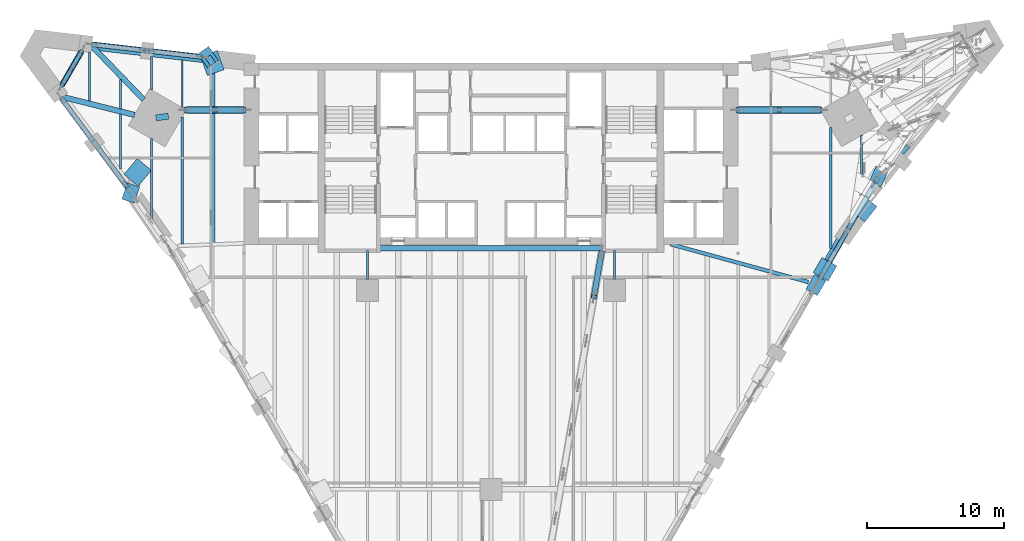
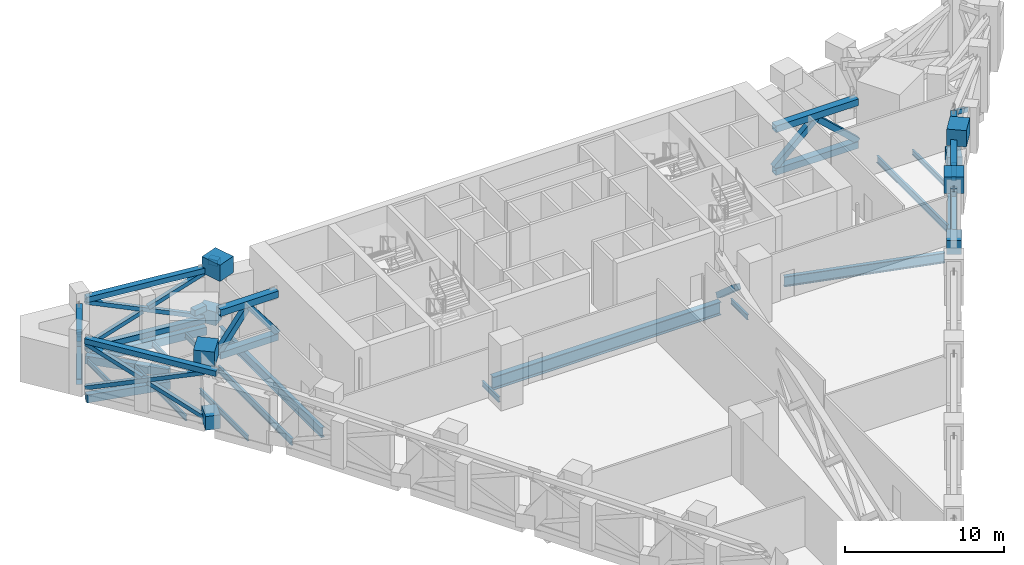
# One storey, part 4 of 22: 29 members, 28 beams.
"""IFC4 building model written with IfcOpenShell, lengths in metres."""

from ifc_helpers import new_model, si_unit, direction, frame, origin, origin_2d, place, context, subcontext, project, spatial, rectangle, hollow_rectangle, i_section, extrude, material, material_profile, profile_set, type_object, element, save


model = new_model("IFC4")

# Units and contexts
model_context = context("Model", 3, precision=1e-05, world=origin(), true_north=direction((0.0, 1.0)))
body_context = subcontext(model_context, "Body", "Model", "MODEL_VIEW")
ifc_project = project(units=[si_unit("LENGTHUNIT", "METRE"), si_unit("AREAUNIT", "SQUARE_METRE"), si_unit("VOLUMEUNIT", "CUBIC_METRE"), si_unit("PLANEANGLEUNIT", "RADIAN"), si_unit("MASSUNIT", "GRAM", prefix="KILO")], contexts=[model_context])

# Site, building, storey
site_placement = place(None, origin())
site = spatial("IfcSite", under=ifc_project, at=site_placement, CompositionType="ELEMENT")
building_placement = place(site_placement, origin())
building = spatial("IfcBuilding", under=site, at=building_placement, Name="Calabash Gate Tower", CompositionType="ELEMENT")
storey_placement = place(building_placement, frame((0.0, 0.0, 86.800048828125)))
storey = spatial("IfcBuildingStorey", under=building, at=storey_placement, Name="L18", CompositionType="ELEMENT", Elevation=86.800048828125)

# Members
ifc_material_1 = material(Name="Steel ASTM A500 Gr C", Category="steel")
ifc_material_profile_1 = material_profile(ifc_material_1, hollow_rectangle(XDim=0.406494140625, YDim=0.406494140625, WallThickness=0.015869140625, at=origin_2d()))
ifc_profile_set_1 = profile_set([ifc_material_profile_1], Name="Steel ASTM A500 Gr C")
member_type_1 = type_object("IfcMemberType", Name="Belt truss chord HSS16X16X.625 ASTM A500 Gr C", PredefinedType="CHORD", material=ifc_profile_set_1)
member_1_placement = place(storey_placement, frame((23.92236328125, 3.329833984375, 0.203125), z_axis=(0.49999569496, 0.866027889286, 0.0), x_axis=(-0.866027889286, 0.49999569496, 0.0)))
element("IfcMember", 1, at=member_1_placement, inside=storey, type_object=member_type_1, Name="Belt chord L18 56", PredefinedType="CHORD", context=body_context, shape_type="SweptSolid", body=[
    extrude(hollow_rectangle(XDim=0.406494140625, YDim=0.406494140625, WallThickness=0.015869140625, at=origin_2d()), origin(), (0.0, 0.0, 1.0), 8.09521484375),
])
member_2_placement = place(storey_placement, frame((23.92236328125, 3.329833984375, 4.02685546875), z_axis=(0.499990883164, 0.866030667328, 0.0), x_axis=(-0.866030667328, 0.499990883164, 0.0)))
element("IfcMember", 2, at=member_2_placement, inside=storey, type_object=member_type_1, Name="Belt chord L18 57", PredefinedType="CHORD", context=body_context, shape_type="SweptSolid", body=[
    extrude(hollow_rectangle(XDim=0.406494140625, YDim=0.406494140625, WallThickness=0.015869140625, at=origin_2d()), origin(), (0.0, 0.0, 1.0), 8.555419921875),
])
for number, where, z_axis, x_axis, name in (
    (3, (-21.024169921875, 19.4892578125, 0.203125), (-0.993506124263, 0.113778649367, 0.0), (-0.113778649367, -0.993506124263, 0.0), "Belt chord L18 91"),
    (4, (-21.024169921875, 19.4892578125, 4.02685546875), (-0.993506124263, 0.113778649367, 0.0), (-0.113778649367, -0.993506124263, 0.0), "Belt chord L18 92"),
):
    element("IfcMember", number, at=place(storey_placement, frame(where, z_axis=z_axis, x_axis=x_axis)), inside=storey, type_object=member_type_1, Name=name, PredefinedType="CHORD", context=body_context, shape_type="SweptSolid", body=[
        extrude(hollow_rectangle(XDim=0.406494140625, YDim=0.406494140625, WallThickness=0.015869140625, at=origin_2d()), origin(), (0.0, 0.0, 1.0), 8.10009765625),
    ])
for number, where, z_axis, x_axis, name in (
    (5, (-29.845703125, 19.895751953125, 0.203125), (-0.4999967785, -0.866027263711, 0.0), (0.866027263711, -0.4999967785, 0.0), "Belt chord L18 96"),
    (6, (-29.845703125, 19.895751953125, 4.02685546875), (-0.4999967785, -0.866027263711, 0.0), (0.866027263711, -0.4999967785, 0.0), "Belt chord L18 97"),
):
    element("IfcMember", number, at=place(storey_placement, frame(where, z_axis=z_axis, x_axis=x_axis)), inside=storey, type_object=member_type_1, Name=name, PredefinedType="CHORD", context=body_context, shape_type="SweptSolid", body=[
        extrude(hollow_rectangle(XDim=0.406494140625, YDim=0.406494140625, WallThickness=0.015869140625, at=origin_2d()), origin(), (0.0, 0.0, 1.0), 2.82470703125),
    ])
member_3_placement = place(storey_placement, frame((-31.3173828125, 16.521484375, 4.02685546875), z_axis=(0.595274233419, -0.803522611398, 0.0), x_axis=(0.803522611398, 0.595274233419, 0.0)))
element("IfcMember", 7, at=member_3_placement, inside=storey, type_object=member_type_1, Name="Belt chord L18 102", PredefinedType="CHORD", context=body_context, shape_type="SweptSolid", body=[
    extrude(hollow_rectangle(XDim=0.406494140625, YDim=0.406494140625, WallThickness=0.015869140625, at=origin_2d()), origin(), (0.0, 0.0, 1.0), 9.0048828125),
])
ifc_material_2 = material(Name="Steel ASTM A500 Gr C", Category="steel")
ifc_material_profile_2 = material_profile(ifc_material_2, hollow_rectangle(XDim=0.3046875, YDim=0.3046875, WallThickness=0.0126953125, at=origin_2d()))
ifc_profile_set_2 = profile_set([ifc_material_profile_2], Name="Steel ASTM A500 Gr C")
member_type_2 = type_object("IfcMemberType", Name="Belt truss diagonal HSS12X12X.500 ASTM A500 Gr C", PredefinedType="BRACE", material=ifc_profile_set_2)
member_4_placement = place(storey_placement, frame((23.92236328125, 3.329833984375, 0.40625), z_axis=(0.460636568742, 0.797855100307, 0.388897403503), x_axis=(-0.866027889286, 0.49999569496, 0.0)))
element("IfcMember", 8, at=member_4_placement, inside=storey, type_object=member_type_2, Name="Belt diagonal L18 58", PredefinedType="BRACE", context=body_context, shape_type="SweptSolid", body=[
    extrude(hollow_rectangle(XDim=0.3046875, YDim=0.3046875, WallThickness=0.0126953125, at=origin_2d()), origin(), (0.0, 0.0, 1.0), 8.786865234375),
])
for number, where, z_axis, x_axis, name in (
    (9, (23.92236328125, 3.329833984375, 3.823486328125), (0.460678958357, 0.797852276339, -0.388852983103), (-0.866007199171, 0.50003152999, 0.0), "Belt diagonal (split) L18 59 half 1 of 2"),
    (10, (26.044189453125, 7.0048828125, 2.0322265625), (0.460622493671, 0.797855620059, -0.388913008094), (-0.866034645701, 0.49998399219, 0.0), "Belt diagonal (split) L18 60 half 2 of 2"),
):
    element("IfcMember", number, at=place(storey_placement, frame(where, z_axis=z_axis, x_axis=x_axis)), inside=storey, type_object=member_type_2, Name=name, PredefinedType="BRACE", context=body_context, shape_type="SweptSolid", body=[
        extrude(hollow_rectangle(XDim=0.3046875, YDim=0.3046875, WallThickness=0.0126953125, at=origin_2d()), origin(), (0.0, 0.0, 1.0), 4.180908203125),
    ])
member_5_placement = place(storey_placement, frame((28.51123046875, 11.059814453125, 3.823486328125), z_axis=(0.592742104516, 0.614858176687, -0.520198250761), x_axis=(-0.719936057016, 0.694040397822, 0.0)))
element("IfcMember", 11, at=member_5_placement, inside=storey, type_object=member_type_2, Name="Belt diagonal (split) L18 64 half 1 of 2", PredefinedType="BRACE", context=body_context, shape_type="SweptSolid", body=[
    extrude(hollow_rectangle(XDim=0.3046875, YDim=0.3046875, WallThickness=0.0126953125, at=origin_2d()), origin(), (0.0, 0.0, 1.0), 3.113037109375),
])
member_6_placement = place(storey_placement, frame((-21.024169921875, 19.4892578125, 0.40625), z_axis=(-0.91538253186, 0.104831752503, 0.388696699282), x_axis=(-0.113778649367, -0.993506124263, 0.0)))
element("IfcMember", 12, at=member_6_placement, inside=storey, type_object=member_type_2, Name="Belt diagonal L18 93", PredefinedType="BRACE", context=body_context, shape_type="SweptSolid", body=[
    extrude(hollow_rectangle(XDim=0.3046875, YDim=0.3046875, WallThickness=0.0126953125, at=origin_2d()), origin(), (0.0, 0.0, 1.0), 8.79150390625),
])
member_7_placement = place(storey_placement, frame((-21.024169921875, 19.4892578125, 3.823486328125), z_axis=(-0.915401322774, 0.104824073942, -0.388654514687), x_axis=(-0.113768118156, -0.993507330265, 0.0)))
element("IfcMember", 13, at=member_7_placement, inside=storey, type_object=member_type_2, Name="Belt diagonal (split) L18 94 half 1 of 2", PredefinedType="BRACE", context=body_context, shape_type="SweptSolid", body=[
    extrude(hollow_rectangle(XDim=0.3046875, YDim=0.3046875, WallThickness=0.0126953125, at=origin_2d()), origin(), (0.0, 0.0, 1.0), 4.182861328125),
])
member_8_placement = place(storey_placement, frame((-25.24267578125, 19.972412109375, 2.0322265625), z_axis=(-0.915380557016, 0.104821696021, -0.388704062084), x_axis=(-0.113768118156, -0.993507330265, 0.0)))
element("IfcMember", 14, at=member_8_placement, inside=storey, type_object=member_type_2, Name="Belt diagonal (split) L18 95 half 2 of 2", PredefinedType="BRACE", context=body_context, shape_type="SweptSolid", body=[
    extrude(hollow_rectangle(XDim=0.3046875, YDim=0.3046875, WallThickness=0.0126953125, at=origin_2d()), origin(), (0.0, 0.0, 1.0), 4.18310546875),
])
member_9_placement = place(storey_placement, frame((-29.845703125, 19.895751953125, 0.40625), z_axis=(-0.31855870124, -0.551764595752, 0.770763377918), x_axis=(0.866027263711, -0.4999967785, 0.0)))
element("IfcMember", 15, at=member_9_placement, inside=storey, type_object=member_type_2, Name="Belt diagonal L18 98", PredefinedType="BRACE", context=body_context, shape_type="SweptSolid", body=[
    extrude(hollow_rectangle(XDim=0.3046875, YDim=0.3046875, WallThickness=0.0126953125, at=origin_2d()), origin(), (0.0, 0.0, 1.0), 4.43359375),
])
for number, where, z_axis, x_axis, name in (
    (16, (-29.845703125, 19.895751953125, 3.823486328125), (-0.318579878466, -0.551770875009, -0.770750129762), (0.866015334839, -0.500017439519, 0.0), "Belt diagonal (split) L18 99 half 1 of 2"),
    (17, (-30.601318359375, 18.5869140625, 1.995361328125), (-0.318550799972, -0.551720511922, -0.770798199635), (0.866015334839, -0.500017439519, 0.0), "Belt diagonal (split) L18 100 half 2 of 2"),
):
    element("IfcMember", number, at=place(storey_placement, frame(where, z_axis=z_axis, x_axis=x_axis)), inside=storey, type_object=member_type_2, Name=name, PredefinedType="BRACE", context=body_context, shape_type="SweptSolid", body=[
        extrude(hollow_rectangle(XDim=0.3046875, YDim=0.3046875, WallThickness=0.0126953125, at=origin_2d()), origin(), (0.0, 0.0, 1.0), 2.0615234375),
    ])
member_10_placement = place(storey_placement, frame((-31.3173828125, 16.521484375, 0.40625), z_axis=(0.548486491124, -0.740322078218, 0.388697555378), x_axis=(0.803505399489, 0.595297465971, 0.0)))
element("IfcMember", 18, at=member_10_placement, inside=storey, type_object=member_type_2, Name="Belt diagonal L18 103", PredefinedType="BRACE", context=body_context, shape_type="SweptSolid", body=[
    extrude(hollow_rectangle(XDim=0.3046875, YDim=0.3046875, WallThickness=0.0126953125, at=origin_2d()), origin(), (0.0, 0.0, 1.0), 8.79150390625),
])
for number, where, z_axis, x_axis, name in (
    (19, (-31.3173828125, 16.521484375, 3.823486328125), (0.548523802013, -0.74031452487, -0.388659288955), (0.803483124258, 0.595327530887, 0.0), "Belt diagonal (split) L18 104 half 1 of 2"),
    (20, (-28.78955078125, 13.109619140625, 2.0322265625), (0.548470551743, -0.740321430064, -0.388721280686), (0.803513425101, 0.595286633213, 0.0), "Belt diagonal (split) L18 105 half 2 of 2"),
):
    element("IfcMember", number, at=place(storey_placement, frame(where, z_axis=z_axis, x_axis=x_axis)), inside=storey, type_object=member_type_2, Name=name, PredefinedType="BRACE", context=body_context, shape_type="SweptSolid", body=[
        extrude(hollow_rectangle(XDim=0.3046875, YDim=0.3046875, WallThickness=0.0126953125, at=origin_2d()), origin(), (0.0, 0.0, 1.0), 4.182861328125),
    ])

# Beams
ifc_material_3 = material(Name="Concrete C80/95", Category="concrete")
ifc_material_profile_3 = material_profile(ifc_material_3, rectangle(XDim=0.449951171875, YDim=0.449951171875, at=origin_2d()))
ifc_profile_set_3 = profile_set([ifc_material_profile_3], Name="Concrete C80/95")
beam_type_1 = type_object("IfcBeamType", Name="Column offset link RC 450x450 Concrete C80/95", PredefinedType="BEAM", material=ifc_profile_set_3)
beam_1_placement = place(storey_placement, frame((-24.416015625, 15.05908203125, 4.60400390625), z_axis=(0.989816267315, 0.142350823526, 0.0), x_axis=(-0.142350823526, 0.989816267315, 0.0)))
element("IfcBeam", 21, at=beam_1_placement, inside=storey, type_object=beam_type_1, Name="Column offset link L18 NW", PredefinedType="BEAM", context=body_context, shape_type="SweptSolid", body=[
    extrude(rectangle(XDim=0.449951171875, YDim=0.449951171875, at=origin_2d()), origin(), (0.0, 0.0, 1.0), 0.919189453125),
])
beam_2_placement = place(storey_placement, frame((-20.633056640625, 19.52001953125, 4.60400390625), z_axis=(0.575096878817, -0.818085313384, 0.0), x_axis=(0.818085313384, 0.575096878817, 0.0)))
element("IfcBeam", 22, at=beam_2_placement, inside=storey, type_object=beam_type_1, Name="Column offset link L18 P17", PredefinedType="BEAM", context=body_context, shape_type="SweptSolid", body=[
    extrude(rectangle(XDim=0.449951171875, YDim=0.449951171875, at=origin_2d()), origin(), (0.0, 0.0, 1.0), 0.671142578125),
])
ifc_material_4 = material(Name="Concrete C60/75", Category="concrete")
ifc_material_profile_4 = material_profile(ifc_material_4, rectangle(XDim=0.39990234375, YDim=0.60009765625, at=origin_2d()))
ifc_profile_set_4 = profile_set([ifc_material_profile_4], Name="Concrete C60/75")
beam_type_2 = type_object("IfcBeamType", Name="Edge beam RC 400x600 Concrete C60/75", PredefinedType="BEAM", material=ifc_profile_set_4)
beam_3_placement = place(storey_placement, frame((23.7490234375, 3.429931640625, -0.469970703125), z_axis=(0.499882442781, 0.866093264839, 0.0), x_axis=(-0.866093264839, 0.499882442781, 0.0)))
element("IfcBeam", 23, at=beam_3_placement, inside=storey, type_object=beam_type_2, Name="Edge beam L18 11", PredefinedType="BEAM", context=body_context, shape_type="SweptSolid", body=[
    extrude(rectangle(XDim=0.39990234375, YDim=0.60009765625, at=origin_2d()), origin(), (0.0, 0.0, 1.0), 8.10205078125),
])
beam_4_placement = place(storey_placement, frame((-21.047119140625, 19.291015625, -0.469970703125), z_axis=(-0.993515172555, 0.113699612587, 0.0), x_axis=(-0.113699612587, -0.993515172555, 0.0)))
element("IfcBeam", 24, at=beam_4_placement, inside=storey, type_object=beam_type_2, Name="Edge beam L18 19", PredefinedType="BEAM", context=body_context, shape_type="SweptSolid", body=[
    extrude(rectangle(XDim=0.39990234375, YDim=0.60009765625, at=origin_2d()), origin(), (0.0, 0.0, 1.0), 8.099365234375),
])
for number, where, z_axis, x_axis, name in (
    (25, (-29.10009765625, 20.31591796875, -0.469970703125), (0.694420894287, -0.719569052682, 0.0), (0.719569052682, 0.694420894287, 0.0), "Edge beam L18 20"),
    (26, (-25.964111328125, 15.277099609375, -0.469970703125), (-0.970371475256, 0.241617880151, 0.0), (-0.241617880151, -0.970371475256, 0.0), "Edge beam L18 21"),
):
    element("IfcBeam", number, at=place(storey_placement, frame(where, z_axis=z_axis, x_axis=x_axis)), inside=storey, type_object=beam_type_2, Name=name, PredefinedType="BEAM", context=body_context, shape_type="SweptSolid", body=[
        extrude(rectangle(XDim=0.39990234375, YDim=0.60009765625, at=origin_2d()), origin(), (0.0, 0.0, 1.0), 5.4462890625),
    ])
ifc_material_5 = material(Name="Steel ASTM A992 Gr50", Category="steel")
ifc_material_profile_5 = material_profile(ifc_material_5, i_section(OverallWidth=0.1396484375, OverallDepth=0.398681640625, WebThickness=0.00634765625, FlangeThickness=0.0087890625, FilletRadius=0.01025390625, at=origin_2d()))
ifc_profile_set_5 = profile_set([ifc_material_profile_5], Name="Steel ASTM A992 Gr50")
beam_type_3 = type_object("IfcBeamType", Name="Floor beam W16x26 ASTM A992 Gr50", PredefinedType="BEAM", material=ifc_profile_set_5)
beam_5_placement = place(storey_placement, frame((-29.25, 16.279052734375, -0.369140625), z_axis=(0.0, 1.0, 0.0), x_axis=(-1.0, 0.0, 0.0)))
element("IfcBeam", 27, at=beam_5_placement, inside=storey, type_object=beam_type_3, Name="Floor beam L18 1", PredefinedType="BEAM", context=body_context, shape_type="SweptSolid", body=[
    extrude(i_section(OverallWidth=0.1396484375, OverallDepth=0.398681640625, WebThickness=0.00634765625, FlangeThickness=0.0087890625, FilletRadius=0.01025390625, at=origin_2d()), origin(), (0.0, 0.0, 1.0), 3.570068359375),
])
beam_6_placement = place(storey_placement, frame((-27.0, 11.343994140625, -0.369140625), z_axis=(0.0, 1.0, 0.0), x_axis=(-1.0, 0.0, 0.0)))
element("IfcBeam", 28, at=beam_6_placement, inside=storey, type_object=beam_type_3, Name="Floor beam L18 2", PredefinedType="BEAM", context=body_context, shape_type="SweptSolid", body=[
    extrude(i_section(OverallWidth=0.1396484375, OverallDepth=0.398681640625, WebThickness=0.00634765625, FlangeThickness=0.0087890625, FilletRadius=0.01025390625, at=origin_2d()), origin(), (0.0, 0.0, 1.0), 4.007080078125),
])
beam_7_placement = place(storey_placement, frame((-27.0, 15.718994140625, -0.369140625), z_axis=(0.0, 1.0, 0.0), x_axis=(-1.0, 0.0, 0.0)))
element("IfcBeam", 29, at=beam_7_placement, inside=storey, type_object=beam_type_3, Name="Floor beam L18 3", PredefinedType="BEAM", context=body_context, shape_type="SweptSolid", body=[
    extrude(i_section(OverallWidth=0.1396484375, OverallDepth=0.398681640625, WebThickness=0.00634765625, FlangeThickness=0.0087890625, FilletRadius=0.01025390625, at=origin_2d()), origin(), (0.0, 0.0, 1.0), 2.157958984375),
])
beam_8_placement = place(storey_placement, frame((-24.75, 7.4970703125, -0.369140625), z_axis=(0.0, 1.0, 0.0), x_axis=(-1.0, 0.0, 0.0)))
element("IfcBeam", 30, at=beam_8_placement, inside=storey, type_object=beam_type_3, Name="Floor beam L18 4", PredefinedType="BEAM", context=body_context, shape_type="SweptSolid", body=[
    extrude(i_section(OverallWidth=0.1396484375, OverallDepth=0.398681640625, WebThickness=0.00634765625, FlangeThickness=0.0087890625, FilletRadius=0.01025390625, at=origin_2d()), origin(), (0.0, 0.0, 1.0), 6.050048828125),
])
beam_9_placement = place(storey_placement, frame((-24.75, 17.0810546875, -0.369140625), z_axis=(0.0, 1.0, 0.0), x_axis=(-1.0, 0.0, 0.0)))
element("IfcBeam", 31, at=beam_9_placement, inside=storey, type_object=beam_type_3, Name="Floor beam L18 5", PredefinedType="BEAM", context=body_context, shape_type="SweptSolid", body=[
    extrude(i_section(OverallWidth=0.1396484375, OverallDepth=0.398681640625, WebThickness=0.00634765625, FlangeThickness=0.0087890625, FilletRadius=0.01025390625, at=origin_2d()), origin(), (0.0, 0.0, 1.0), 2.4560546875),
])
beam_10_placement = place(storey_placement, frame((-22.5, 15.802001953125, -0.369140625), z_axis=(0.0, 1.0, 0.0), x_axis=(-1.0, 0.0, 0.0)))
element("IfcBeam", 32, at=beam_10_placement, inside=storey, type_object=beam_type_3, Name="Floor beam L18 7", PredefinedType="BEAM", context=body_context, shape_type="SweptSolid", body=[
    extrude(i_section(OverallWidth=0.1396484375, OverallDepth=0.398681640625, WebThickness=0.00634765625, FlangeThickness=0.0087890625, FilletRadius=0.01025390625, at=origin_2d()), origin(), (0.0, 0.0, 1.0), 3.47607421875),
])
for number, where, z_axis, x_axis, name in (
    (33, (-9.0, 3.300048828125, -0.369140625), (0.0, 1.0, 0.0), (-1.0, 0.0, 0.0), "Floor beam L18 17"),
    (34, (9.0, 3.300048828125, -0.369140625), (0.0, 1.0, 0.0), (-1.0, 0.0, 0.0), "Floor beam L18 36"),
):
    element("IfcBeam", number, at=place(storey_placement, frame(where, z_axis=z_axis, x_axis=x_axis)), inside=storey, type_object=beam_type_3, Name=name, PredefinedType="BEAM", context=body_context, shape_type="SweptSolid", body=[
        extrude(i_section(OverallWidth=0.1396484375, OverallDepth=0.398681640625, WebThickness=0.00634765625, FlangeThickness=0.0087890625, FilletRadius=0.01025390625, at=origin_2d()), origin(), (0.0, 0.0, 1.0), 2.10302734375),
    ])
beam_11_placement = place(storey_placement, frame((27.0, 9.447998046875, -0.369140625), z_axis=(0.0, 1.0, 0.0), x_axis=(-1.0, 0.0, 0.0)))
element("IfcBeam", 35, at=beam_11_placement, inside=storey, type_object=beam_type_3, Name="Floor beam L18 46", PredefinedType="BEAM", context=body_context, shape_type="SweptSolid", body=[
    extrude(i_section(OverallWidth=0.1396484375, OverallDepth=0.398681640625, WebThickness=0.00634765625, FlangeThickness=0.0087890625, FilletRadius=0.01025390625, at=origin_2d()), origin(), (0.0, 0.0, 1.0), 4.383056640625),
])
ifc_material_6 = material(Name="Steel ASTM A992 Gr50", Category="steel")
ifc_material_profile_6 = material_profile(ifc_material_6, i_section(OverallWidth=0.166015625, OverallDepth=0.5283203125, WebThickness=0.009765625, FlangeThickness=0.013671875, FilletRadius=0.0126953125, at=origin_2d()))
ifc_profile_set_6 = profile_set([ifc_material_profile_6], Name="Steel ASTM A992 Gr50")
beam_type_4 = type_object("IfcBeamType", Name="Floor beam W21x50 ASTM A992 Gr50", PredefinedType="BEAM", material=ifc_profile_set_6)
beam_12_placement = place(storey_placement, frame((-22.5, 5.864013671875, -0.43408203125), z_axis=(0.0, 1.0, 0.0), x_axis=(-1.0, 0.0, 0.0)))
element("IfcBeam", 36, at=beam_12_placement, inside=storey, type_object=beam_type_4, Name="Floor beam L18 6", PredefinedType="BEAM", context=body_context, shape_type="SweptSolid", body=[
    extrude(i_section(OverallWidth=0.166015625, OverallDepth=0.5283203125, WebThickness=0.009765625, FlangeThickness=0.013671875, FilletRadius=0.0126953125, at=origin_2d()), origin(), (0.0, 0.0, 1.0), 9.26806640625),
])
beam_13_placement = place(storey_placement, frame((24.75, 5.531005859375, -0.43408203125), z_axis=(0.0, 1.0, 0.0), x_axis=(-1.0, 0.0, 0.0)))
element("IfcBeam", 37, at=beam_13_placement, inside=storey, type_object=beam_type_4, Name="Floor beam L18 44", PredefinedType="BEAM", context=body_context, shape_type="SweptSolid", body=[
    extrude(i_section(OverallWidth=0.166015625, OverallDepth=0.5283203125, WebThickness=0.009765625, FlangeThickness=0.013671875, FilletRadius=0.0126953125, at=origin_2d()), origin(), (0.0, 0.0, 1.0), 8.825927734375),
])
ifc_material_7 = material(Name="Steel ASTM A992 Gr50", Category="steel")
ifc_material_profile_7 = material_profile(ifc_material_7, i_section(OverallWidth=0.2666015625, OverallDepth=0.7568359375, WebThickness=0.013916015625, FlangeThickness=0.019287109375, FilletRadius=0.0166015625, at=origin_2d()))
ifc_profile_set_7 = profile_set([ifc_material_profile_7], Name="Steel ASTM A992 Gr50")
beam_type_5 = type_object("IfcBeamType", Name="Floor beam W30x108 ASTM A992 Gr50", PredefinedType="BEAM", material=ifc_profile_set_7)
beam_14_placement = place(storey_placement, frame((-20.25, 5.949951171875, -0.548095703125), z_axis=(0.0, 1.0, 0.0), x_axis=(-1.0, 0.0, 0.0)))
element("IfcBeam", 38, at=beam_14_placement, inside=storey, type_object=beam_type_5, Name="Floor beam L18 9", PredefinedType="BEAM", context=body_context, shape_type="SweptSolid", body=[
    extrude(i_section(OverallWidth=0.2666015625, OverallDepth=0.7568359375, WebThickness=0.013916015625, FlangeThickness=0.019287109375, FilletRadius=0.0166015625, at=origin_2d()), origin(), (0.0, 0.0, 1.0), 12.84716796875),
])
ifc_material_8 = material(Name="Steel ASTM A992 Gr50", Category="steel")
ifc_material_profile_8 = material_profile(ifc_material_8, i_section(OverallWidth=0.2666015625, OverallDepth=0.77978515625, WebThickness=0.0166015625, FlangeThickness=0.030029296875, FilletRadius=0.0166015625, at=origin_2d()))
ifc_profile_set_8 = profile_set([ifc_material_profile_8], Name="Steel ASTM A992 Gr50")
beam_type_6 = type_object("IfcBeamType", Name="Girder W30x148 ASTM A992 Gr50", PredefinedType="BEAM", material=ifc_profile_set_8)
beam_15_placement = place(storey_placement, frame((23.12109375, 3.09912109375, -0.56005859375), z_axis=(-0.964327320459, 0.264712710341, 0.0), x_axis=(-0.264712710341, -0.964327320459, 0.0)))
element("IfcBeam", 39, at=beam_15_placement, inside=storey, type_object=beam_type_6, Name="Girder L18 3", PredefinedType="BEAM", context=body_context, shape_type="SweptSolid", body=[
    extrude(i_section(OverallWidth=0.2666015625, OverallDepth=0.77978515625, WebThickness=0.0166015625, FlangeThickness=0.030029296875, FilletRadius=0.0166015625, at=origin_2d()), origin(), (0.0, 0.0, 1.0), 10.421875),
])
ifc_material_9 = material(Name="Steel ASTM A992 Gr50", Category="steel")
ifc_material_profile_9 = material_profile(ifc_material_9, i_section(OverallWidth=0.4013671875, OverallDepth=1.000732421875, WebThickness=0.01904296875, FlangeThickness=0.0361328125, FilletRadius=0.030029296875, at=origin_2d()))
ifc_profile_set_9 = profile_set([ifc_material_profile_9], Name="Steel ASTM A992 Gr50")
beam_type_7 = type_object("IfcBeamType", Name="Girder W40x249 ASTM A992 Gr50", PredefinedType="BEAM", material=ifc_profile_set_9)
beam_16_placement = place(storey_placement, frame((-8.25, 5.552978515625, -0.670166015625), z_axis=(1.0, 0.0, 0.0), x_axis=(0.0, 1.0, 0.0)))
element("IfcBeam", 40, at=beam_16_placement, inside=storey, type_object=beam_type_7, Name="Girder L18 1", PredefinedType="BEAM", context=body_context, shape_type="SweptSolid", body=[
    extrude(i_section(OverallWidth=0.4013671875, OverallDepth=1.000732421875, WebThickness=0.01904296875, FlangeThickness=0.0361328125, FilletRadius=0.030029296875, at=origin_2d()), origin(), (0.0, 0.0, 1.0), 16.5),
])

# Members
ifc_material_10 = material(Name="Steel ASTM A500 Gr C", Category="steel")
ifc_material_profile_10 = material_profile(ifc_material_10, hollow_rectangle(XDim=0.508056640625, YDim=0.508056640625, WallThickness=0.01904296875, at=origin_2d()))
ifc_profile_set_10 = profile_set([ifc_material_profile_10], Name="Steel ASTM A500 Gr C")
member_type_3 = type_object("IfcMemberType", Name="Outrigger chord HSS20X20X.750 ASTM A500 Gr C", PredefinedType="CHORD", material=ifc_profile_set_10)
for number, where, z_axis, x_axis, name in (
    (41, (23.989501953125, 15.64013671875, 0.25390625), (-1.0, 0.0, 0.0), (0.0, -1.0, 0.0), "Outrigger chord L18 NE"),
    (42, (23.989501953125, 15.64013671875, 3.52587890625), (-1.0, 0.0, 0.0), (0.0, -1.0, 0.0), "Outrigger chord L18 NE"),
):
    element("IfcMember", number, at=place(storey_placement, frame(where, z_axis=z_axis, x_axis=x_axis)), inside=storey, type_object=member_type_3, Name=name, PredefinedType="CHORD", context=body_context, shape_type="SweptSolid", body=[
        extrude(hollow_rectangle(XDim=0.508056640625, YDim=0.508056640625, WallThickness=0.01904296875, at=origin_2d()), origin(), (0.0, 0.0, 1.0), 5.989501953125),
    ])
for number, where, z_axis, x_axis, name in (
    (43, (-22.19970703125, 15.64013671875, 0.25390625), (1.0, 0.0, 0.0), (0.0, 1.0, 0.0), "Outrigger chord L18 NW"),
    (44, (-22.19970703125, 15.64013671875, 3.52587890625), (1.0, 0.0, 0.0), (0.0, 1.0, 0.0), "Outrigger chord L18 NW"),
):
    element("IfcMember", number, at=place(storey_placement, frame(where, z_axis=z_axis, x_axis=x_axis)), inside=storey, type_object=member_type_3, Name=name, PredefinedType="CHORD", context=body_context, shape_type="SweptSolid", body=[
        extrude(hollow_rectangle(XDim=0.508056640625, YDim=0.508056640625, WallThickness=0.01904296875, at=origin_2d()), origin(), (0.0, 0.0, 1.0), 4.19970703125),
    ])
ifc_material_11 = material(Name="Steel ASTM A500 Gr C", Category="steel")
ifc_material_profile_11 = material_profile(ifc_material_11, hollow_rectangle(XDim=0.406494140625, YDim=0.406494140625, WallThickness=0.015869140625, at=origin_2d()))
ifc_profile_set_11 = profile_set([ifc_material_profile_11], Name="Steel ASTM A500 Gr C")
member_type_4 = type_object("IfcMemberType", Name="Outrigger diagonal HSS16X16X.625 ASTM A500 Gr C", PredefinedType="BRACE", material=ifc_profile_set_11)
member_11_placement = place(storey_placement, frame((23.989501953125, 15.64013671875, 0.508056640625), z_axis=(-0.734847083085, 0.0, 0.678232824686), x_axis=(0.0, -1.0, 0.0)))
element("IfcMember", 45, at=member_11_placement, inside=storey, type_object=member_type_4, Name="Outrigger diagonal L18 NE", PredefinedType="BRACE", context=body_context, shape_type="SweptSolid", body=[
    extrude(hollow_rectangle(XDim=0.406494140625, YDim=0.406494140625, WallThickness=0.015869140625, at=origin_2d()), origin(), (0.0, 0.0, 1.0), 4.0751953125),
])
member_12_placement = place(storey_placement, frame((20.994873046875, 15.64013671875, 3.27197265625), z_axis=(-0.734874639514, 0.0, -0.678202966817), x_axis=(0.0, -1.0, 0.0)))
element("IfcMember", 46, at=member_12_placement, inside=storey, type_object=member_type_4, Name="Outrigger diagonal L18 NE", PredefinedType="BRACE", context=body_context, shape_type="SweptSolid", body=[
    extrude(hollow_rectangle(XDim=0.406494140625, YDim=0.406494140625, WallThickness=0.015869140625, at=origin_2d()), origin(), (0.0, 0.0, 1.0), 4.075439453125),
])
for number, where, z_axis, x_axis, name in (
    (47, (-22.19970703125, 15.64013671875, 0.508056640625), (0.604951291939, 0.0, 0.796262478321), (0.0, 1.0, 0.0), "Outrigger diagonal L18 NW"),
    (48, (-20.099853515625, 15.64013671875, 3.27197265625), (0.604951291939, 0.0, -0.796262478321), (0.0, 1.0, 0.0), "Outrigger diagonal L18 NW"),
):
    element("IfcMember", number, at=place(storey_placement, frame(where, z_axis=z_axis, x_axis=x_axis)), inside=storey, type_object=member_type_4, Name=name, PredefinedType="BRACE", context=body_context, shape_type="SweptSolid", body=[
        extrude(hollow_rectangle(XDim=0.406494140625, YDim=0.406494140625, WallThickness=0.015869140625, at=origin_2d()), origin(), (0.0, 0.0, 1.0), 3.47119140625),
    ])
member_13_placement = place(storey_placement, frame((7.489501953125, 2.022705078125, 3.27197265625), z_axis=(0.130727130637, 0.753275234461, -0.644582685513), x_axis=(-0.985272909806, 0.170989161067, 0.0)))
element("IfcMember", 49, at=member_13_placement, inside=storey, type_object=member_type_4, Name="Outrigger diagonal L18 S", PredefinedType="BRACE", context=body_context, shape_type="SweptSolid", body=[
    extrude(hollow_rectangle(XDim=0.406494140625, YDim=0.406494140625, WallThickness=0.015869140625, at=origin_2d()), origin(), (0.0, 0.0, 1.0), 4.287841796875),
])

# Beams
ifc_material_12 = material(Name="Concrete C70/85", Category="concrete")
ifc_material_profile_12 = material_profile(ifc_material_12, rectangle(XDim=1.25, YDim=1.25, at=origin_2d()))
ifc_profile_set_12 = profile_set([ifc_material_profile_12], Name="Concrete C70/85")
beam_type_8 = type_object("IfcBeamType", Name="Transfer node RC 1250x1250 Concrete C70/85", PredefinedType="BEAM", material=ifc_profile_set_12)
beam_17_placement = place(storey_placement, frame((24.011962890625, 3.48388671875, 4.376953125), z_axis=(0.499922110319, 0.866070368743, 0.0), x_axis=(-0.866070368743, 0.499922110319, 0.0)))
element("IfcBeam", 50, at=beam_17_placement, inside=storey, type_object=beam_type_8, Name="Transfer node L18 head P12", PredefinedType="BEAM", context=body_context, shape_type="SweptSolid", body=[
    extrude(rectangle(XDim=1.25, YDim=1.25, at=origin_2d()), origin(), (0.0, 0.0, 1.0), 1.270263671875),
])
beam_18_placement = place(storey_placement, frame((27.626953125, 8.989013671875, 4.376953125), z_axis=(-0.620389009518, -0.784294254008, 0.0), x_axis=(0.784294254008, -0.620389009518, 0.0)))
element("IfcBeam", 51, at=beam_18_placement, inside=storey, type_object=beam_type_8, Name="Transfer node L18 head P13", PredefinedType="BEAM", context=body_context, shape_type="SweptSolid", body=[
    extrude(rectangle(XDim=1.25, YDim=1.25, at=origin_2d()), origin(), (0.0, 0.0, 1.0), 1.434326171875),
])
ifc_material_13 = material(Name="Concrete C70/85", Category="concrete")
ifc_material_profile_13 = material_profile(ifc_material_13, rectangle(XDim=1.300048828125, YDim=1.25, at=origin_2d()))
ifc_profile_set_13 = profile_set([ifc_material_profile_13], Name="Concrete C70/85")
beam_type_9 = type_object("IfcBeamType", Name="Transfer node RC 1300x1250 Concrete C70/85", PredefinedType="BEAM", material=ifc_profile_set_13)
beam_19_placement = place(storey_placement, frame((-20.052978515625, 18.35888671875, 4.376953125), z_axis=(-0.341424280308, 0.939909283291, 0.0), x_axis=(-0.939909283291, -0.341424280308, 0.0)))
element("IfcBeam", 52, at=beam_19_placement, inside=storey, type_object=beam_type_9, Name="Transfer node L18 head P17", PredefinedType="BEAM", context=body_context, shape_type="SweptSolid", body=[
    extrude(rectangle(XDim=1.300048828125, YDim=1.25, at=origin_2d()), origin(), (0.0, 0.0, 1.0), 1.475830078125),
])
ifc_material_14 = material(Name="Concrete C70/85", Category="concrete")
ifc_material_profile_14 = material_profile(ifc_material_14, rectangle(XDim=1.35009765625, YDim=1.25, at=origin_2d()))
ifc_profile_set_14 = profile_set([ifc_material_profile_14], Name="Concrete C70/85")
beam_type_10 = type_object("IfcBeamType", Name="Transfer node RC 1350x1250 Concrete C70/85", PredefinedType="BEAM", material=ifc_profile_set_14)
beam_20_placement = place(storey_placement, frame((-26.22900390625, 10.52001953125, 4.376953125), z_axis=(0.642835684598, 0.766004100908, 0.0), x_axis=(-0.766004100908, 0.642835684598, 0.0)))
element("IfcBeam", 53, at=beam_20_placement, inside=storey, type_object=beam_type_10, Name="Transfer node L18 head P20", PredefinedType="BEAM", context=body_context, shape_type="SweptSolid", body=[
    extrude(rectangle(XDim=1.35009765625, YDim=1.25, at=origin_2d()), origin(), (0.0, 0.0, 1.0), 1.510498046875),
])
ifc_material_15 = material(Name="Concrete C70/85", Category="concrete")
ifc_material_profile_15 = material_profile(ifc_material_15, rectangle(XDim=0.949951171875, YDim=1.050048828125, at=origin_2d()))
ifc_profile_set_15 = profile_set([ifc_material_profile_15], Name="Concrete C70/85")
beam_type_11 = type_object("IfcBeamType", Name="Transfer node RC 950x1050 Concrete C70/85", PredefinedType="BEAM", material=ifc_profile_set_15)
beam_21_placement = place(storey_placement, frame((23.35791015625, 2.35302734375, 0.52685546875), z_axis=(0.500625085174, 0.86566420978, 0.0), x_axis=(-0.86566420978, 0.500625085174, 0.0)))
element("IfcBeam", 54, at=beam_21_placement, inside=storey, type_object=beam_type_11, Name="Transfer node L18 foot P12", PredefinedType="BEAM", context=body_context, shape_type="SweptSolid", body=[
    extrude(rectangle(XDim=0.949951171875, YDim=1.050048828125, at=origin_2d()), origin(), (0.0, 0.0, 1.0), 1.24072265625),
])
beam_22_placement = place(storey_placement, frame((28.47802734375, 11.361083984375, 0.52685546875), z_axis=(-0.408691439648, -0.912672617732, 0.0), x_axis=(0.912672617732, -0.408691439648, 0.0)))
element("IfcBeam", 55, at=beam_22_placement, inside=storey, type_object=beam_type_11, Name="Transfer node L18 foot P13", PredefinedType="BEAM", context=body_context, shape_type="SweptSolid", body=[
    extrude(rectangle(XDim=0.949951171875, YDim=1.050048828125, at=origin_2d()), origin(), (0.0, 0.0, 1.0), 1.250244140625),
])
beam_23_placement = place(storey_placement, frame((-20.967041015625, 19.990966796875, 0.52685546875), z_axis=(0.576721849495, -0.816940578203, 0.0), x_axis=(0.816940578203, 0.576721849495, 0.0)))
element("IfcBeam", 56, at=beam_23_placement, inside=storey, type_object=beam_type_11, Name="Transfer node L18 foot P17", PredefinedType="BEAM", context=body_context, shape_type="SweptSolid", body=[
    extrude(rectangle(XDim=0.949951171875, YDim=1.050048828125, at=origin_2d()), origin(), (0.0, 0.0, 1.0), 1.239990234375),
])
beam_24_placement = place(storey_placement, frame((-26.053955078125, 10.177001953125, 0.52685546875), z_axis=(-0.313219740173, -0.949680680211, 0.0), x_axis=(0.949680680211, -0.313219740173, 0.0)))
element("IfcBeam", 57, at=beam_24_placement, inside=storey, type_object=beam_type_11, Name="Transfer node L18 foot P20", PredefinedType="BEAM", context=body_context, shape_type="SweptSolid", body=[
    extrude(rectangle(XDim=0.949951171875, YDim=1.050048828125, at=origin_2d()), origin(), (0.0, 0.0, 1.0), 1.242431640625),
])

save(model, "model.ifc")
